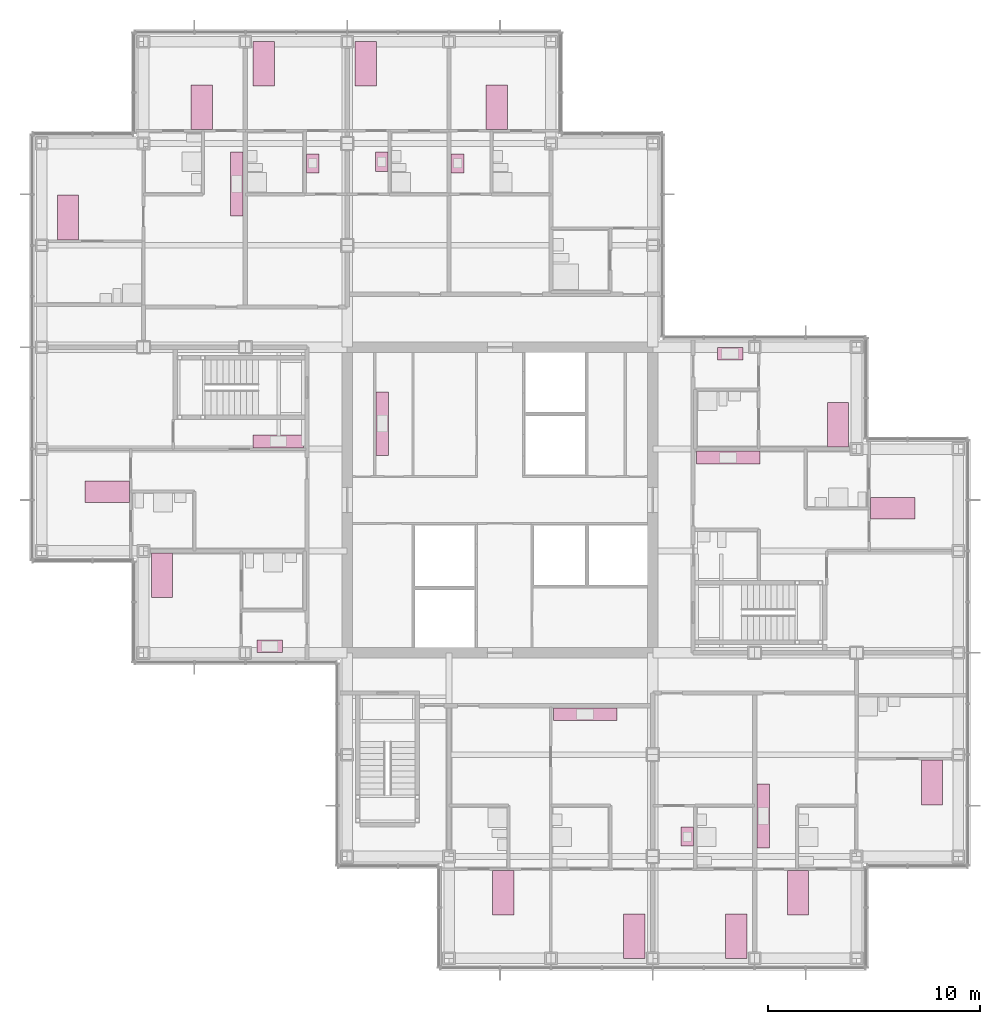
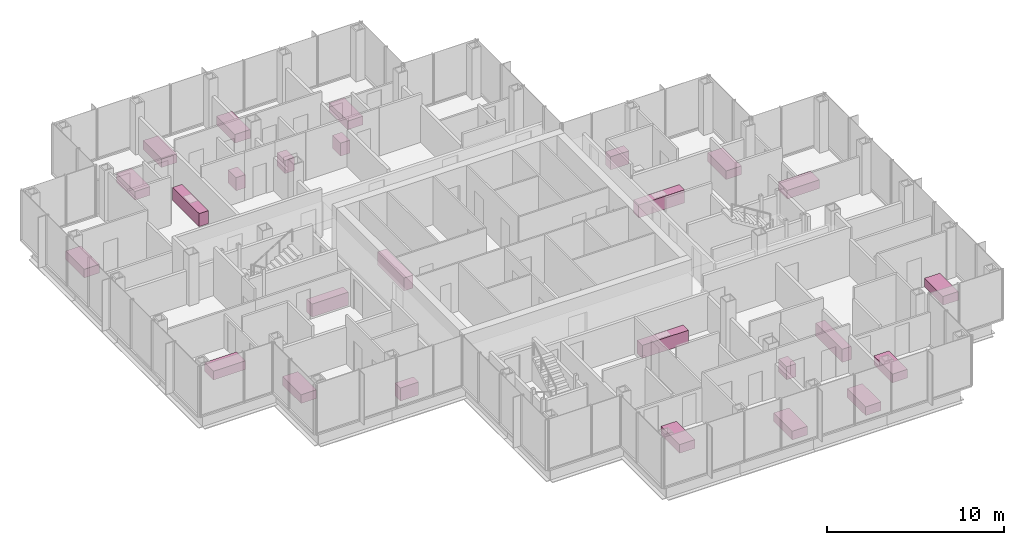
# One storey, part 20 of 20: 26 furniture elements.
"""IFC4 building model written with IfcOpenShell, lengths in metres."""

from ifc_helpers import new_model, si_unit, direction, frame, origin, origin_2d, place, context, subcontext, project, spatial, rectangle, extrude, material, type_object, element, save


model = new_model("IFC4")

# Units and contexts
model_context = context("Model", 3, precision=1e-05, world=origin(), true_north=direction((0.0, 1.0)))
body_context = subcontext(model_context, "Body", "Model", "MODEL_VIEW")
ifc_project = project(units=[si_unit("LENGTHUNIT", "METRE"), si_unit("AREAUNIT", "SQUARE_METRE"), si_unit("VOLUMEUNIT", "CUBIC_METRE"), si_unit("PLANEANGLEUNIT", "RADIAN"), si_unit("MASSUNIT", "GRAM", prefix="KILO")], contexts=[model_context])

# Site, building, storey
site_placement = place(None, origin())
site = spatial("IfcSite", under=ifc_project, at=site_placement, CompositionType="ELEMENT")
building_placement = place(site_placement, origin())
building = spatial("IfcBuilding", under=site, at=building_placement, Name="Kvirike Care Tower", CompositionType="ELEMENT")
storey_placement = place(building_placement, frame((0.0, 0.0, 122.5)))
storey = spatial("IfcBuildingStorey", under=building, at=storey_placement, Name="L33", CompositionType="ELEMENT", Elevation=122.5)

# Furniture
ifc_material_1 = material(Name="Steel frame", Category="steel")
furniture_type_1 = type_object("IfcFurnitureType", Name="CARE BED 1000 x 2100", AssemblyPlace="FACTORY", PredefinedType="BED", material=ifc_material_1)
for number, where, z_axis, x_axis, name in (
    (1, (3.087890625, 36.389892578125, 0.0), (0.0, 0.0, 1.0), (0.0, -1.0, 0.0), "Care bed L33-004"),
    (2, (5.669921875, 32.447998046875, 0.0), (0.0, 0.0, 1.0), (1.0, 0.0, 0.0), "Care bed L33-008"),
    (3, (10.469970703125, 56.548095703125, 0.0), (0.0, 0.0, 1.0), (1.0, 0.0, 0.0), "Care bed L33-012"),
    (4, (7.550048828125, 54.511962890625, 0.0), (0.0, 0.0, 1.0), (-1.0, 0.0, 0.0), "Care bed L33-016"),
    (5, (1.239990234375, 49.31201171875, 0.0), (0.0, 0.0, 1.0), (-1.0, 0.0, 0.0), "Care bed L33-017"),
    (6, (21.75, 17.488037109375, 0.0), (0.0, 0.0, 1.0), (1.0, 0.0, 0.0), "Care bed L33-024"),
    (7, (27.929931640625, 15.451904296875, 0.0), (0.0, 0.0, 1.0), (-1.0, 0.0, 0.0), "Care bed L33-025"),
    (8, (21.449951171875, 54.511962890625, 0.0), (0.0, 0.0, 1.0), (-1.0, 0.0, 0.0), "Care bed L33-034"),
    (9, (15.27001953125, 56.548095703125, 0.0), (0.0, 0.0, 1.0), (1.0, 0.0, 0.0), "Care bed L33-038"),
    (10, (32.72998046875, 15.451904296875, 0.0), (0.0, 0.0, 1.0), (-1.0, 0.0, 0.0), "Care bed L33-043"),
    (11, (35.64990234375, 17.488037109375, 0.0), (0.0, 0.0, 1.0), (1.0, 0.0, 0.0), "Care bed L33-047"),
    (12, (41.9599609375, 22.68798828125, 0.0), (0.0, 0.0, 1.0), (1.0, 0.0, 0.0), "Care bed L33-048"),
    (13, (40.112060546875, 35.610107421875, 0.0), (0.0, 0.0, 1.0), (0.0, 1.0, 0.0), "Care bed L33-055"),
    (14, (37.530029296875, 39.552001953125, 0.0), (0.0, 0.0, 1.0), (-1.0, 0.0, 0.0), "Care bed L33-059"),
):
    element("IfcFurniture", number, at=place(storey_placement, frame(where, z_axis=z_axis, x_axis=x_axis)), inside=storey, type_object=furniture_type_1, Name=name, PredefinedType="BED", context=body_context, shape_type="SweptSolid", body=[
        extrude(rectangle(XDim=1.0, YDim=2.10009765625, at=origin_2d()), origin(), (0.0, 0.0, 1.0), 0.60009765625),
    ])
ifc_material_2 = material(Name="Laminated board", Category="wood")
furniture_type_2 = type_object("IfcFurnitureType", Name="KITCHEN UNIT RUN 600", AssemblyPlace="FACTORY", PredefinedType="USERDEFINED", material=ifc_material_2)
furniture_1_placement = place(storey_placement, frame((11.14990234375, 38.761962890625, 0.0), z_axis=(0.0, 0.0, 1.0), x_axis=(-1.0, 0.0, 0.0)))
element("IfcFurniture", 15, at=furniture_1_placement, inside=storey, type_object=furniture_type_2, Name="Kitchen unit run L33-006", ObjectType="KITCHEN UNIT", PredefinedType="USERDEFINED", context=body_context, shape_type="SweptSolid", body=[
    extrude(rectangle(XDim=2.39990234375, YDim=0.60009765625, at=origin_2d()), origin(), (0.0, 0.0, 1.0), 0.89990234375),
])
furniture_2_placement = place(storey_placement, frame((10.75, 29.10205078125, 0.0), z_axis=(0.0, 0.0, 1.0), x_axis=(-1.0, 0.0, 0.0)))
element("IfcFurniture", 16, at=furniture_2_placement, inside=storey, type_object=furniture_type_2, Name="Kitchen unit run L33-010", ObjectType="KITCHEN UNIT", PredefinedType="USERDEFINED", context=body_context, shape_type="SweptSolid", body=[
    extrude(rectangle(XDim=1.199951171875, YDim=0.60009765625, at=origin_2d()), origin(), (0.0, 0.0, 1.0), 0.89990234375),
])
furniture_3_placement = place(storey_placement, frame((12.777099609375, 51.860107421875, 0.0), z_axis=(0.0, 0.0, 1.0), x_axis=(0.0, 1.0, 0.0)))
element("IfcFurniture", 17, at=furniture_3_placement, inside=storey, type_object=furniture_type_2, Name="Kitchen unit run L33-014", ObjectType="KITCHEN UNIT", PredefinedType="USERDEFINED", context=body_context, shape_type="SweptSolid", body=[
    extrude(rectangle(XDim=0.89990234375, YDim=0.60009765625, at=origin_2d()), origin(), (0.0, 0.0, 1.0), 0.89990234375),
])
for number, where, z_axis, x_axis, name in (
    (18, (9.197998046875, 50.889892578125, 0.0), (0.0, 0.0, 1.0), (0.0, -1.0, 0.0), "Kitchen unit run L33-020"),
    (19, (25.610107421875, 25.89794921875, 0.0), (0.0, 0.0, 1.0), (1.0, 0.0, 0.0), "Kitchen unit run L33-029"),
):
    element("IfcFurniture", number, at=place(storey_placement, frame(where, z_axis=z_axis, x_axis=x_axis)), inside=storey, type_object=furniture_type_2, Name=name, ObjectType="KITCHEN UNIT", PredefinedType="USERDEFINED", context=body_context, shape_type="SweptSolid", body=[
        extrude(rectangle(XDim=3.0, YDim=0.60009765625, at=origin_2d()), origin(), (0.0, 0.0, 1.0), 0.89990234375),
    ])
for number, where, z_axis, x_axis, name in (
    (20, (19.60205078125, 51.860107421875, 0.0), (0.0, 0.0, 1.0), (0.0, 1.0, 0.0), "Kitchen unit run L33-036"),
    (21, (16.02294921875, 51.93994140625, 0.0), (0.0, 0.0, 1.0), (0.0, -1.0, 0.0), "Kitchen unit run L33-040"),
    (22, (30.423095703125, 20.139892578125, 0.0), (0.0, 0.0, 1.0), (0.0, -1.0, 0.0), "Kitchen unit run L33-045"),
):
    element("IfcFurniture", number, at=place(storey_placement, frame(where, z_axis=z_axis, x_axis=x_axis)), inside=storey, type_object=furniture_type_2, Name=name, ObjectType="KITCHEN UNIT", PredefinedType="USERDEFINED", context=body_context, shape_type="SweptSolid", body=[
        extrude(rectangle(XDim=0.89990234375, YDim=0.60009765625, at=origin_2d()), origin(), (0.0, 0.0, 1.0), 0.89990234375),
    ])
for number, where, z_axis, x_axis, name in (
    (23, (34.001953125, 21.110107421875, 0.0), (0.0, 0.0, 1.0), (0.0, 1.0, 0.0), "Kitchen unit run L33-051"),
    (24, (32.35009765625, 37.998046875, 0.0), (0.0, 0.0, 1.0), (1.0, 0.0, 0.0), "Kitchen unit run L33-058"),
):
    element("IfcFurniture", number, at=place(storey_placement, frame(where, z_axis=z_axis, x_axis=x_axis)), inside=storey, type_object=furniture_type_2, Name=name, ObjectType="KITCHEN UNIT", PredefinedType="USERDEFINED", context=body_context, shape_type="SweptSolid", body=[
        extrude(rectangle(XDim=3.0, YDim=0.60009765625, at=origin_2d()), origin(), (0.0, 0.0, 1.0), 0.89990234375),
    ])
furniture_4_placement = place(storey_placement, frame((32.449951171875, 42.89794921875, 0.0), z_axis=(0.0, 0.0, 1.0), x_axis=(1.0, 0.0, 0.0)))
element("IfcFurniture", 25, at=furniture_4_placement, inside=storey, type_object=furniture_type_2, Name="Kitchen unit run L33-061", ObjectType="KITCHEN UNIT", PredefinedType="USERDEFINED", context=body_context, shape_type="SweptSolid", body=[
    extrude(rectangle(XDim=1.199951171875, YDim=0.60009765625, at=origin_2d()), origin(), (0.0, 0.0, 1.0), 0.89990234375),
])
furniture_5_placement = place(storey_placement, frame((16.052001953125, 39.60009765625, 0.0), z_axis=(0.0, 0.0, 1.0), x_axis=(0.0, 1.0, 0.0)))
element("IfcFurniture", 26, at=furniture_5_placement, inside=storey, type_object=furniture_type_2, Name="Kitchen unit run L33-068", ObjectType="KITCHEN UNIT", PredefinedType="USERDEFINED", context=body_context, shape_type="SweptSolid", body=[
    extrude(rectangle(XDim=3.0, YDim=0.60009765625, at=origin_2d()), origin(), (0.0, 0.0, 1.0), 0.89990234375),
])

save(model, "model.ifc")
